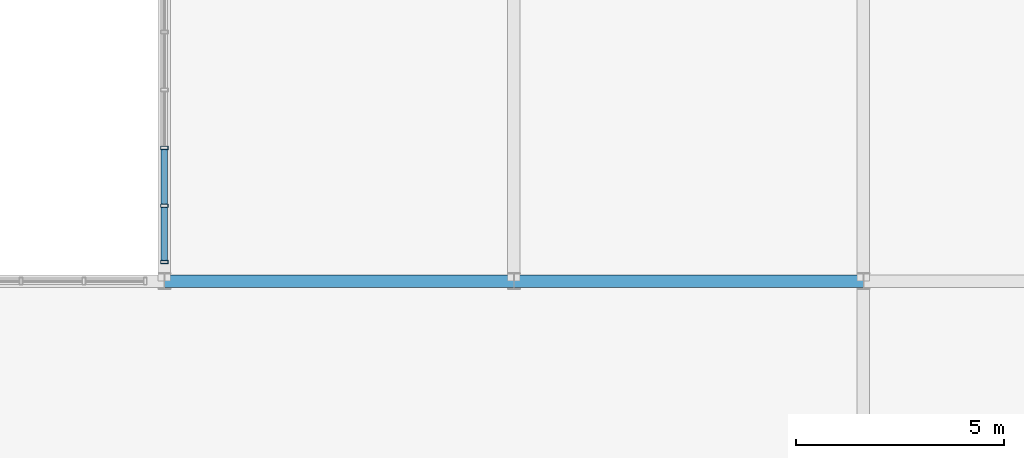
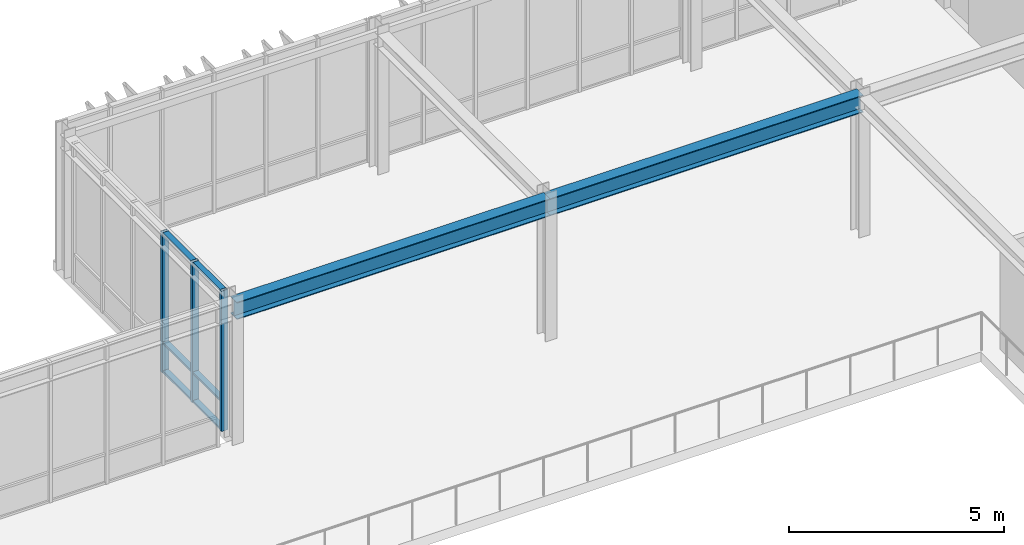
# One storey, part 48 of 123: 9 members, 2 beams, 1 element without a shape of its own.
"""IFC4 building model written with IfcOpenShell, lengths in metres."""

from ifc_helpers import new_model, si_unit, direction, frame, origin, origin_2d, place, context, subcontext, project, spatial, hollow_rectangle, i_section, extrude, material, layer, layer_set, material_profile, profile_set, type_object, element, aggregate, save


model = new_model("IFC4")

# Units and contexts
model_context = context("Model", 3, precision=1e-05, world=origin(), true_north=direction((0.0, 1.0)))
body_context = subcontext(model_context, "Body", "Model", "MODEL_VIEW")
ifc_project = project(units=[si_unit("LENGTHUNIT", "METRE"), si_unit("AREAUNIT", "SQUARE_METRE"), si_unit("VOLUMEUNIT", "CUBIC_METRE"), si_unit("PLANEANGLEUNIT", "RADIAN"), si_unit("MASSUNIT", "GRAM", prefix="KILO")], contexts=[model_context])

# Site, building, storey
site_placement = place(None, origin())
site = spatial("IfcSite", under=ifc_project, at=site_placement, CompositionType="ELEMENT")
building_placement = place(site_placement, origin())
building = spatial("IfcBuilding", under=site, at=building_placement, Name="Zayran Congress Hotel", CompositionType="ELEMENT")
storey_placement = place(building_placement, frame((0.0, 0.0, 15.0)))
storey = spatial("IfcBuildingStorey", under=building, at=storey_placement, Name="L03", CompositionType="ELEMENT", Elevation=15.0)

# Beams
ifc_material_1 = material(Name="Steel S355", Category="steel")
ifc_material_profile_1 = material_profile(ifc_material_1, i_section(OverallWidth=0.300048828125, OverallDepth=0.489990234375, WebThickness=0.011962890625, FlangeThickness=0.02294921875, at=origin_2d()), Name="HEA 500")
ifc_profile_set_1 = profile_set([ifc_material_profile_1], Name="Steel S355")
beam_type = type_object("IfcBeamType", Name="TP-BM-05", PredefinedType="BEAM", material=ifc_profile_set_1)
beam_1_placement = place(storey_placement, frame((58.800048828125, 109.60009765625, 3.735107421875), z_axis=(1.0, 0.0, 0.0), x_axis=(0.0, 1.0, 0.0)))
element("IfcBeam", 1, at=beam_1_placement, inside=storey, type_object=beam_type, Name="BM-V1-L03-0835", PredefinedType="BEAM", context=body_context, shape_type="SweptSolid", body=[
    extrude(i_section(OverallWidth=0.300048828125, OverallDepth=0.489990234375, WebThickness=0.011962890625, FlangeThickness=0.02294921875, at=origin_2d()), origin(), (0.0, 0.0, 1.0), 8.39990234375),
])
beam_2_placement = place(storey_placement, frame((67.199951171875, 109.60009765625, 3.735107421875), z_axis=(1.0, 0.0, 0.0), x_axis=(0.0, 1.0, 0.0)))
element("IfcBeam", 2, at=beam_2_placement, inside=storey, type_object=beam_type, Name="BM-V1-L03-0836", PredefinedType="BEAM", context=body_context, shape_type="SweptSolid", body=[
    extrude(i_section(OverallWidth=0.300048828125, OverallDepth=0.489990234375, WebThickness=0.011962890625, FlangeThickness=0.02294921875, at=origin_2d()), origin(), (0.0, 0.0, 1.0), 8.400146484375),
])

# Curtain wall, members
ifc_material_2 = material(Name="Anodised aluminium and low-E insulated glass", Category="aluminium")
ifc_layer = layer(ifc_material_2, 0.179931640625)
ifc_layer_set = layer_set([ifc_layer], Name="Anodised aluminium and low-E insulated glass")
curtain_wall_type = type_object("IfcCurtainWallType", Name="CW-V1NE-L03-CW-25-6960-3980", PredefinedType="USERDEFINED", material=ifc_layer_set)
curtain_wall_placement = place(storey_placement, origin())
curtain_wall = element("IfcCurtainWall", 3, at=curtain_wall_placement, inside=storey, type_object=curtain_wall_type, Name="CW-V1NE-L03", ObjectType="CURTAIN WALL", PredefinedType="USERDEFINED")
ifc_material_3 = material(Name="Anodised aluminium framing", Category="aluminium")
ifc_material_profile_2 = material_profile(ifc_material_3, hollow_rectangle(XDim=0.080078125, YDim=0.179931640625, WallThickness=0.0048828125, at=origin_2d()), Name="RHS 180x80x5")
ifc_profile_set_2 = profile_set([ifc_material_profile_2], Name="Anodised aluminium framing")
member_type_1 = type_object("IfcMemberType", Name="TP-CWM-01", PredefinedType="MULLION", material=ifc_profile_set_2)
member_1_placement = place(storey_placement, frame((58.800048828125, 112.803955078125, 0.0), z_axis=(0.0, 0.0, 1.0), x_axis=(0.0, 1.0, 0.0)))
member_1 = element("IfcMember", 4, at=member_1_placement, type_object=member_type_1, Name="CW-V1NE-L03-M03", PredefinedType="MULLION", context=body_context, shape_type="SweptSolid", body=[
    extrude(hollow_rectangle(XDim=0.080078125, YDim=0.179931640625, WallThickness=0.0048828125, at=origin_2d()), origin(), (0.0, 0.0, 1.0), 3.97998046875),
])
member_2_placement = place(storey_placement, frame((58.800048828125, 111.412109375, 0.0), z_axis=(0.0, 0.0, 1.0), x_axis=(0.0, 1.0, 0.0)))
member_2 = element("IfcMember", 5, at=member_2_placement, type_object=member_type_1, Name="CW-V1NE-L03-M04", PredefinedType="MULLION", context=body_context, shape_type="SweptSolid", body=[
    extrude(hollow_rectangle(XDim=0.080078125, YDim=0.179931640625, WallThickness=0.0048828125, at=origin_2d()), origin(), (0.0, 0.0, 1.0), 3.97998046875),
])
member_3_placement = place(storey_placement, frame((58.800048828125, 110.06005859375, 0.0), z_axis=(0.0, 0.0, 1.0), x_axis=(0.0, 1.0, 0.0)))
member_3 = element("IfcMember", 6, at=member_3_placement, type_object=member_type_1, Name="CW-V1NE-L03-M05", PredefinedType="MULLION", context=body_context, shape_type="SweptSolid", body=[
    extrude(hollow_rectangle(XDim=0.080078125, YDim=0.179931640625, WallThickness=0.0048828125, at=origin_2d()), origin(), (0.0, 0.0, 1.0), 3.97998046875),
])
ifc_material_profile_3 = material_profile(ifc_material_3, hollow_rectangle(XDim=0.06005859375, YDim=0.14990234375, WallThickness=0.00390625, at=origin_2d()), Name="RHS 150x60x4")
ifc_profile_set_3 = profile_set([ifc_material_profile_3], Name="Anodised aluminium framing")
member_type_2 = type_object("IfcMemberType", Name="TP-CWT-01", PredefinedType="USERDEFINED", material=ifc_profile_set_3)
member_4_placement = place(storey_placement, frame((58.800048828125, 112.763916015625, 0.030029296875), z_axis=(0.0, -1.0, 0.0), x_axis=(0.0, 0.0, 1.0)))
member_4 = element("IfcMember", 7, at=member_4_placement, type_object=member_type_2, Name="CW-V1NE-L03-T03-0", ObjectType="TRANSOM", PredefinedType="USERDEFINED", context=body_context, shape_type="SweptSolid", body=[
    extrude(hollow_rectangle(XDim=0.06005859375, YDim=0.14990234375, WallThickness=0.00390625, at=origin_2d()), origin(), (0.0, 0.0, 1.0), 1.31201171875),
])
member_5_placement = place(storey_placement, frame((58.800048828125, 112.763916015625, 0.840087890625), z_axis=(0.0, -1.0, 0.0), x_axis=(0.0, 0.0, 1.0)))
member_5 = element("IfcMember", 8, at=member_5_placement, type_object=member_type_2, Name="CW-V1NE-L03-T03-1", ObjectType="TRANSOM", PredefinedType="USERDEFINED", context=body_context, shape_type="SweptSolid", body=[
    extrude(hollow_rectangle(XDim=0.06005859375, YDim=0.14990234375, WallThickness=0.00390625, at=origin_2d()), origin(), (0.0, 0.0, 1.0), 1.31201171875),
])
member_6_placement = place(storey_placement, frame((58.800048828125, 112.763916015625, 3.949951171875), z_axis=(0.0, -1.0, 0.0), x_axis=(0.0, 0.0, 1.0)))
member_6 = element("IfcMember", 9, at=member_6_placement, type_object=member_type_2, Name="CW-V1NE-L03-T03-2", ObjectType="TRANSOM", PredefinedType="USERDEFINED", context=body_context, shape_type="SweptSolid", body=[
    extrude(hollow_rectangle(XDim=0.06005859375, YDim=0.14990234375, WallThickness=0.00390625, at=origin_2d()), origin(), (0.0, 0.0, 1.0), 1.31201171875),
])
member_7_placement = place(storey_placement, frame((58.800048828125, 111.3720703125, 0.030029296875), z_axis=(0.0, -1.0, 0.0), x_axis=(0.0, 0.0, 1.0)))
member_7 = element("IfcMember", 10, at=member_7_placement, type_object=member_type_2, Name="CW-V1NE-L03-T04-0", ObjectType="TRANSOM", PredefinedType="USERDEFINED", context=body_context, shape_type="SweptSolid", body=[
    extrude(hollow_rectangle(XDim=0.06005859375, YDim=0.14990234375, WallThickness=0.00390625, at=origin_2d()), origin(), (0.0, 0.0, 1.0), 1.27197265625),
])
member_8_placement = place(storey_placement, frame((58.800048828125, 111.3720703125, 0.840087890625), z_axis=(0.0, -1.0, 0.0), x_axis=(0.0, 0.0, 1.0)))
member_8 = element("IfcMember", 11, at=member_8_placement, type_object=member_type_2, Name="CW-V1NE-L03-T04-1", ObjectType="TRANSOM", PredefinedType="USERDEFINED", context=body_context, shape_type="SweptSolid", body=[
    extrude(hollow_rectangle(XDim=0.06005859375, YDim=0.14990234375, WallThickness=0.00390625, at=origin_2d()), origin(), (0.0, 0.0, 1.0), 1.27197265625),
])
member_9_placement = place(storey_placement, frame((58.800048828125, 111.3720703125, 3.949951171875), z_axis=(0.0, -1.0, 0.0), x_axis=(0.0, 0.0, 1.0)))
member_9 = element("IfcMember", 12, at=member_9_placement, type_object=member_type_2, Name="CW-V1NE-L03-T04-2", ObjectType="TRANSOM", PredefinedType="USERDEFINED", context=body_context, shape_type="SweptSolid", body=[
    extrude(hollow_rectangle(XDim=0.06005859375, YDim=0.14990234375, WallThickness=0.00390625, at=origin_2d()), origin(), (0.0, 0.0, 1.0), 1.27197265625),
])
aggregate(curtain_wall, [member_1, member_2, member_3, member_4, member_5, member_6, member_7, member_8, member_9])

save(model, "model.ifc")
